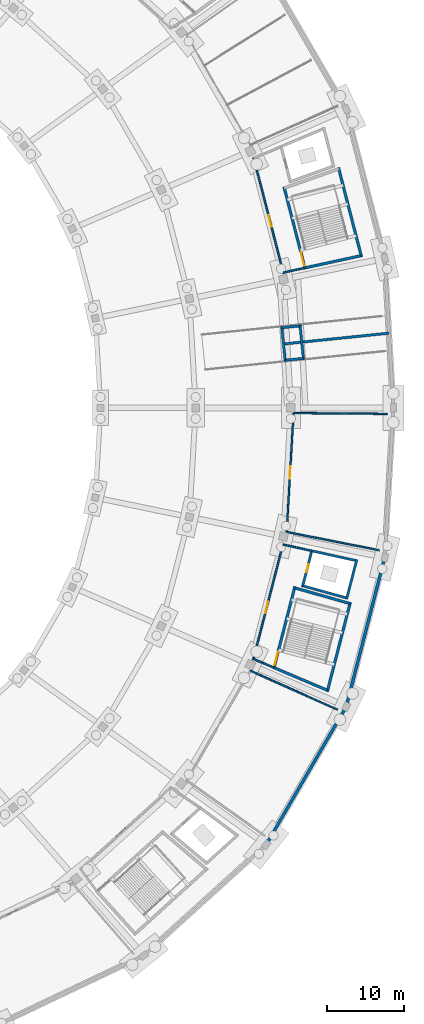
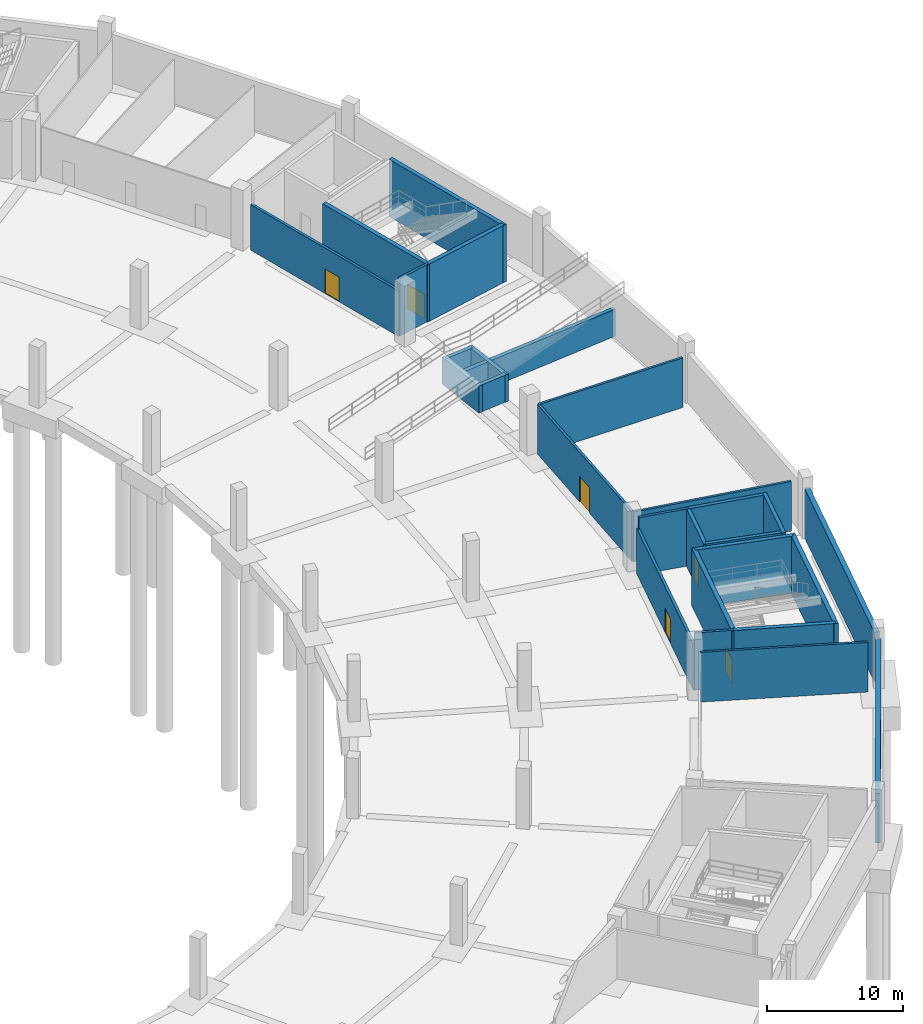
# One storey, part 14 of 49: 27 walls, 6 doors, 6 openings.
"""IFC4 building model written with IfcOpenShell, lengths in metres."""

from ifc_helpers import new_model, si_unit, direction, frame, frame_2d, origin, place, context, subcontext, project, spatial, rectangle, extrude, material, layer, layer_set, type_object, element, fill, save


model = new_model("IFC4")

# Units and contexts
model_context = context("Model", 3, precision=1e-05, world=origin(), true_north=direction((0.0, 1.0)))
body_context = subcontext(model_context, "Body", "Model", "MODEL_VIEW")
ifc_project = project(units=[si_unit("LENGTHUNIT", "METRE"), si_unit("AREAUNIT", "SQUARE_METRE"), si_unit("VOLUMEUNIT", "CUBIC_METRE"), si_unit("PLANEANGLEUNIT", "RADIAN"), si_unit("MASSUNIT", "GRAM", prefix="KILO")], contexts=[model_context])

# Site, building, storey
site_placement = place(None, origin())
site = spatial("IfcSite", under=ifc_project, at=site_placement, CompositionType="ELEMENT")
building_placement = place(site_placement, origin())
building = spatial("IfcBuilding", under=site, at=building_placement, Name="Kazemori Nagisa Stadium", CompositionType="ELEMENT")
storey_placement = place(building_placement, frame((0.0, 0.0, -5.43994140625)))
storey = spatial("IfcBuildingStorey", under=building, at=storey_placement, Name="B1", CompositionType="ELEMENT", Elevation=-5.43994140625)

# Walls
ifc_material_1 = material(Name="Concrete C40/50 (Fc42)", Category="concrete")
ifc_layer_1 = layer(ifc_material_1, 0.39990234375, Name="Concrete C40/50 (Fc42)", Category="concrete")
ifc_layer_set_1 = layer_set([ifc_layer_1], Name="Concrete C40/50 (Fc42)")
wall_type_1 = type_object("IfcWallType", Name="Wall_W-B1-RET-400", PredefinedType="SOLIDWALL", material=ifc_layer_set_1)
wall_1_placement = place(storey_placement, frame((201.69091796875, 45.669677734375, 0.0), z_axis=(0.0, 0.0, 1.0), x_axis=(0.501609752715, 0.865094015689, 0.0)))
element("IfcWall", 1, at=wall_1_placement, inside=storey, type_object=wall_type_1, Name="Basement perimeter retaining wall B1-26", PredefinedType="SOLIDWALL", context=body_context, shape_type="SweptSolid", body=[
    extrude(rectangle(XDim=19.932373046875, YDim=0.39990234375, at=frame_2d((9.96630859375, 0.0))), origin(), (0.0, 0.0, 1.0), 4.419921875),
])
wall_2_placement = place(storey_placement, frame((211.982421875, 63.628173828125, 0.0), z_axis=(0.0, 0.0, 1.0), x_axis=(0.249961059007, 0.968255890238, 0.0)))
element("IfcWall", 2, at=wall_2_placement, inside=storey, type_object=wall_type_1, Name="Basement perimeter retaining wall B1-27", PredefinedType="SOLIDWALL", context=body_context, shape_type="SweptSolid", body=[
    extrude(rectangle(XDim=19.2060546875, YDim=0.39990234375, at=frame_2d((9.60302734375, 0.0))), origin(), (0.0, 0.0, 1.0), 4.419921875),
])

# Wall, opening, door
ifc_layer_2 = layer(ifc_material_1, 0.35009765625, Name="Concrete C40/50 (Fc42)", Category="concrete")
ifc_layer_set_2 = layer_set([ifc_layer_2], Name="Concrete C40/50 (Fc42)")
wall_type_2 = type_object("IfcWallType", Name="Wall_W-CORE-350", PredefinedType="SHEAR", material=ifc_layer_set_2)
wall_3_placement = place(storey_placement, frame((206.5625, 119.996337890625, 0.0), z_axis=(0.0, 0.0, 1.0), x_axis=(-0.249959564539, 0.968256276042, 0.0)))
wall_3 = element("IfcWall", 3, at=wall_3_placement, inside=storey, type_object=wall_type_2, Name="Core stair front shear wall ST07 B1", PredefinedType="SHEAR", context=body_context, shape_type="SweptSolid", body=[
    extrude(rectangle(XDim=11.046630859375, YDim=0.35009765625, at=frame_2d((5.5234375, 0.0))), origin(), (0.0, 0.0, 1.0), 5.139892578125),
])
opening_1_placement = place(wall_3_placement, frame((0.47509765625, 0.0, 0.0)))
opening_1 = element("IfcOpeningElement", 4, at=opening_1_placement, cuts=wall_3, Name="Opening D-ST-1800", PredefinedType="OPENING", context=body_context, shape_type="SweptSolid", body=[
    extrude(rectangle(XDim=1.800048828125, YDim=2.199951171875, at=frame_2d((0.89990234375, 1.10009765625))), frame((0.0, 0.18505859375, 0.0), z_axis=(0.0, -1.0, 0.0), x_axis=(1.0, 0.0, 0.0)), (0.0, 0.0, 1.0), 0.3701171875),
])
ifc_material_2 = material(Name="Galvanised steel sheet", Category="steel")
door_type_1 = type_object("IfcDoorType", Name="Door_D-ST-1800", OperationType="NOTDEFINED", PredefinedType="DOOR", material=ifc_material_2)
door_1_placement = place(opening_1_placement, frame((1.800048828125, 0.0, 0.0), z_axis=(0.0, 0.0, 1.0), x_axis=(-1.0, 0.0, 0.0)))
door_1 = element("IfcDoor", 5, at=door_1_placement, inside=storey, type_object=door_type_1, Name="Exit stair fire door ST07-B1", OperationType="SINGLE_SWING_LEFT", OverallHeight=2.199951171875, OverallWidth=1.800048828125, PredefinedType="DOOR", context=body_context, shape_type="SweptSolid", body=[
    extrude(rectangle(XDim=1.800048828125, YDim=2.199951171875, at=frame_2d((0.89990234375, 1.10009765625))), frame((0.0, 0.02490234375, 0.0), z_axis=(0.0, -1.0, 0.0), x_axis=(1.0, 0.0, 0.0)), (0.0, 0.0, 1.0), 0.050048828125),
])
fill(opening_1, door_1)

# Walls
wall_4_placement = place(storey_placement, frame((213.86572265625, 121.5849609375, 0.0), z_axis=(0.0, 0.0, 1.0), x_axis=(-0.249969221583, 0.968253782983, 0.0)))
element("IfcWall", 6, at=wall_4_placement, inside=storey, type_object=wall_type_2, Name="Core stair rear shear wall ST07 B1", PredefinedType="SHEAR", context=body_context, shape_type="SweptSolid", body=[
    extrude(rectangle(XDim=11.98193359375, YDim=0.35009765625, at=frame_2d((5.990966796875, 0.0))), origin(), (0.0, 0.0, 1.0), 5.139892578125),
])
wall_5_placement = place(storey_placement, frame((206.518798828125, 120.165771484375, 0.0), z_axis=(0.0, 0.0, 1.0), x_axis=(0.977149528138, 0.2125530514, 0.0)))
element("IfcWall", 7, at=wall_5_placement, inside=storey, type_object=wall_type_2, Name="Core stair left shear wall ST07 B1", PredefinedType="SHEAR", context=body_context, shape_type="SweptSolid", body=[
    extrude(rectangle(XDim=7.47412109375, YDim=0.35009765625, at=frame_2d((3.737060546875, 0.0))), origin(), (0.0, 0.0, 1.0), 5.139892578125),
])

# Wall, opening, door
wall_6_placement = place(storey_placement, frame((202.46435546875, 68.129150390625, 0.0), z_axis=(0.0, 0.0, 1.0), x_axis=(0.249959564539, 0.968256276042, 0.0)))
wall_6 = element("IfcWall", 8, at=wall_6_placement, inside=storey, type_object=wall_type_2, Name="Core stair front shear wall ST10 B1", PredefinedType="SHEAR", context=body_context, shape_type="SweptSolid", body=[
    extrude(rectangle(XDim=11.046630859375, YDim=0.35009765625, at=frame_2d((5.5234375, 0.0))), origin(), (0.0, 0.0, 1.0), 5.139892578125),
])
opening_2_placement = place(wall_6_placement, frame((0.47509765625, 0.0, 0.0)))
opening_2 = element("IfcOpeningElement", 9, at=opening_2_placement, cuts=wall_6, Name="Opening D-ST-1800", PredefinedType="OPENING", context=body_context, shape_type="SweptSolid", body=[
    extrude(rectangle(XDim=1.800048828125, YDim=2.199951171875, at=frame_2d((0.89990234375, 1.10009765625))), frame((0.0, 0.18505859375, 0.0), z_axis=(0.0, -1.0, 0.0), x_axis=(1.0, 0.0, 0.0)), (0.0, 0.0, 1.0), 0.3701171875),
])
door_2_placement = place(opening_2_placement, frame((1.800048828125, 0.0, 0.0), z_axis=(0.0, 0.0, 1.0), x_axis=(-1.0, 0.0, 0.0)))
door_2 = element("IfcDoor", 10, at=door_2_placement, inside=storey, type_object=door_type_1, Name="Exit stair fire door ST10-B1", OperationType="SINGLE_SWING_RIGHT", OverallHeight=2.199951171875, OverallWidth=1.800048828125, PredefinedType="DOOR", context=body_context, shape_type="SweptSolid", body=[
    extrude(rectangle(XDim=1.800048828125, YDim=2.199951171875, at=frame_2d((0.89990234375, 1.10009765625))), frame((0.0, 0.02490234375, 0.0), z_axis=(0.0, -1.0, 0.0), x_axis=(1.0, 0.0, 0.0)), (0.0, 0.0, 1.0), 0.050048828125),
])
fill(opening_2, door_2)

# Walls
wall_7_placement = place(storey_placement, frame((209.4169921875, 65.18212890625, 0.0), z_axis=(0.0, 0.0, 1.0), x_axis=(0.249969221583, 0.968253782983, 0.0)))
element("IfcWall", 11, at=wall_7_placement, inside=storey, type_object=wall_type_2, Name="Core stair rear shear wall ST10 B1", PredefinedType="SHEAR", context=body_context, shape_type="SweptSolid", body=[
    extrude(rectangle(XDim=11.98193359375, YDim=0.35009765625, at=frame_2d((5.990966796875, 0.0))), origin(), (0.0, 0.0, 1.0), 5.139892578125),
])
wall_8_placement = place(storey_placement, frame((202.508056640625, 68.298583984375, 0.0), z_axis=(0.0, 0.0, 1.0), x_axis=(0.920704667209, -0.390260061728, 0.0)))
element("IfcWall", 12, at=wall_8_placement, inside=storey, type_object=wall_type_2, Name="Core stair left shear wall ST10 B1", PredefinedType="SHEAR", context=body_context, shape_type="SweptSolid", body=[
    extrude(rectangle(XDim=7.551513671875, YDim=0.35009765625, at=frame_2d((3.77587890625, 0.0))), origin(), (0.0, 0.0, 1.0), 5.139892578125),
])
wall_9_placement = place(storey_placement, frame((205.181884765625, 78.655517578125, 0.0), z_axis=(0.0, 0.0, 1.0), x_axis=(0.961945802461, -0.273240321195, 0.0)))
element("IfcWall", 13, at=wall_9_placement, inside=storey, type_object=wall_type_2, Name="Core stair right shear wall ST10 B1", PredefinedType="SHEAR", context=body_context, shape_type="SweptSolid", body=[
    extrude(rectangle(XDim=7.470458984375, YDim=0.35009765625, at=frame_2d((3.7353515625, 0.0))), origin(), (0.0, 0.0, 1.0), 5.139892578125),
])

# Wall, opening, door
ifc_material_3 = material(Name="Concrete C36/45 (Fc36)", Category="concrete")
ifc_layer_3 = layer(ifc_material_3, 0.219970703125, Name="Concrete C36/45 (Fc36)", Category="concrete")
ifc_layer_set_3 = layer_set([ifc_layer_3], Name="Concrete C36/45 (Fc36)")
wall_type_3 = type_object("IfcWallType", Name="Wall_W-LOBBY-220", PredefinedType="SOLIDWALL", material=ifc_layer_set_3)
wall_10_placement = place(storey_placement, frame((203.7373046875, 119.448486328125, 0.0), z_axis=(0.0, 0.0, 1.0), x_axis=(-0.249963472505, 0.968255267176, 0.0)))
wall_10 = element("IfcWall", 14, at=wall_10_placement, inside=storey, type_object=wall_type_3, Name="Core lobby fire wall ST07 B1", PredefinedType="SOLIDWALL", context=body_context, shape_type="SweptSolid", body=[
    extrude(rectangle(XDim=15.552978515625, YDim=0.219970703125, at=frame_2d((7.7763671875, 0.0))), origin(), (0.0, 0.0, 1.0), 4.087890625),
])
opening_3_placement = place(wall_10_placement, frame((6.260009765625, 0.0, 0.0)))
opening_3 = element("IfcOpeningElement", 15, at=opening_3_placement, cuts=wall_10, Name="Opening D-FFL-1500", PredefinedType="OPENING", context=body_context, shape_type="SweptSolid", body=[
    extrude(rectangle(XDim=1.5, YDim=2.199951171875, at=frame_2d((0.75, 1.10009765625))), frame((0.0, 0.119873046875, 0.0), z_axis=(0.0, -1.0, 0.0), x_axis=(1.0, 0.0, 0.0)), (0.0, 0.0, 1.0), 0.239990234375),
])
door_type_2 = type_object("IfcDoorType", Name="Door_D-FFL-1500", OperationType="NOTDEFINED", PredefinedType="DOOR", material=ifc_material_2)
door_3_placement = place(opening_3_placement, frame((1.5, 0.0, 0.0), z_axis=(0.0, 0.0, 1.0), x_axis=(-1.0, 0.0, 0.0)))
door_3 = element("IfcDoor", 16, at=door_3_placement, inside=storey, type_object=door_type_2, Name="Protected lobby fire door ST07-B1", OperationType="DOUBLE_DOOR_SINGLE_SWING", OverallHeight=2.199951171875, OverallWidth=1.5, PredefinedType="DOOR", context=body_context, shape_type="SweptSolid", body=[
    extrude(rectangle(XDim=1.5, YDim=2.199951171875, at=frame_2d((0.75, 1.10009765625))), frame((0.0, 0.02490234375, 0.0), z_axis=(0.0, -1.0, 0.0), x_axis=(1.0, 0.0, 0.0)), (0.0, 0.0, 1.0), 0.050048828125),
])
fill(opening_3, door_3)

# Wall
wall_11_placement = place(storey_placement, frame((203.7099609375, 119.554931640625, 0.0), z_axis=(0.0, 0.0, 1.0), x_axis=(0.977160263607, 0.212503692268, 0.0)))
element("IfcWall", 17, at=wall_11_placement, inside=storey, type_object=wall_type_3, Name="Core lobby left wall ST07 B1", PredefinedType="SOLIDWALL", context=body_context, shape_type="SweptSolid", body=[
    extrude(rectangle(XDim=2.87451171875, YDim=0.219970703125, at=frame_2d((1.437255859375, 0.0))), origin(), (0.0, 0.0, 1.0), 5.139892578125),
])

# Wall, opening, door
wall_12_placement = place(storey_placement, frame((199.806640625, 69.325439453125, 0.0), z_axis=(0.0, 0.0, 1.0), x_axis=(0.249963472505, 0.968255267176, 0.0)))
wall_12 = element("IfcWall", 18, at=wall_12_placement, inside=storey, type_object=wall_type_3, Name="Core lobby fire wall ST10 B1", PredefinedType="SOLIDWALL", context=body_context, shape_type="SweptSolid", body=[
    extrude(rectangle(XDim=15.552978515625, YDim=0.219970703125, at=frame_2d((7.7763671875, 0.0))), origin(), (0.0, 0.0, 1.0), 4.087890625),
])
opening_4_placement = place(wall_12_placement, frame((6.260009765625, 0.0, 0.0)))
opening_4 = element("IfcOpeningElement", 19, at=opening_4_placement, cuts=wall_12, Name="Opening D-FFL-1500", PredefinedType="OPENING", context=body_context, shape_type="SweptSolid", body=[
    extrude(rectangle(XDim=1.5, YDim=2.199951171875, at=frame_2d((0.75, 1.10009765625))), frame((0.0, 0.119873046875, 0.0), z_axis=(0.0, -1.0, 0.0), x_axis=(1.0, 0.0, 0.0)), (0.0, 0.0, 1.0), 0.239990234375),
])
door_4_placement = place(opening_4_placement, frame((1.5, 0.0, 0.0), z_axis=(0.0, 0.0, 1.0), x_axis=(-1.0, 0.0, 0.0)))
door_4 = element("IfcDoor", 20, at=door_4_placement, inside=storey, type_object=door_type_2, Name="Protected lobby fire door ST10-B1", OperationType="DOUBLE_DOOR_SINGLE_SWING", OverallHeight=2.199951171875, OverallWidth=1.5, PredefinedType="DOOR", context=body_context, shape_type="SweptSolid", body=[
    extrude(rectangle(XDim=1.5, YDim=2.199951171875, at=frame_2d((0.75, 1.10009765625))), frame((0.0, 0.02490234375, 0.0), z_axis=(0.0, -1.0, 0.0), x_axis=(1.0, 0.0, 0.0)), (0.0, 0.0, 1.0), 0.050048828125),
])
fill(opening_4, door_4)

# Walls
wall_13_placement = place(storey_placement, frame((199.834228515625, 69.431884765625, 0.0), z_axis=(0.0, 0.0, 1.0), x_axis=(0.920711790761, -0.390243255361, 0.0)))
element("IfcWall", 21, at=wall_13_placement, inside=storey, type_object=wall_type_3, Name="Core lobby left wall ST10 B1", PredefinedType="SOLIDWALL", context=body_context, shape_type="SweptSolid", body=[
    extrude(rectangle(XDim=2.904052734375, YDim=0.219970703125, at=frame_2d((1.4521484375, 0.0))), origin(), (0.0, 0.0, 1.0), 5.139892578125),
])
wall_14_placement = place(storey_placement, frame((203.666748046875, 84.2783203125, 0.0), z_axis=(0.0, 0.0, 1.0), x_axis=(0.976714725209, -0.214542176645, 0.0)))
element("IfcWall", 22, at=wall_14_placement, inside=storey, type_object=wall_type_3, Name="Core lobby right wall ST10 B1", PredefinedType="SOLIDWALL", context=body_context, shape_type="SweptSolid", body=[
    extrude(rectangle(XDim=3.832763671875, YDim=0.219970703125, at=frame_2d((1.91650390625, 0.0))), origin(), (0.0, 0.0, 1.0), 5.139892578125),
])
ifc_material_4 = material(Name="Autoclaved aerated concrete blockwork", Category="masonry")
ifc_layer_4 = layer(ifc_material_4, 0.199951171875, Name="Autoclaved aerated concrete blockwork", Category="masonry")
ifc_layer_set_4 = layer_set([ifc_layer_4], Name="Autoclaved aerated concrete blockwork")
wall_type_4 = type_object("IfcWallType", Name="Wall_W-PART-200", PredefinedType="PARTITIONING", material=ifc_layer_set_4)
wall_15_placement = place(storey_placement, frame((199.4375, 67.901123046875, 0.0), z_axis=(0.0, 0.0, 1.0), x_axis=(0.913245562849, -0.407409550621, 0.0)))
element("IfcWall", 23, at=wall_15_placement, inside=storey, type_object=wall_type_4, Name="Room radial partition B1-B26-R", PredefinedType="PARTITIONING", context=body_context, shape_type="SweptSolid", body=[
    extrude(rectangle(XDim=12.399658203125, YDim=0.199951171875, at=frame_2d((6.19970703125, 0.0))), origin(), (0.0, 0.0, 1.0), 4.4599609375),
])

# Wall, opening, door
wall_16_placement = place(storey_placement, frame((204.151611328125, 85.910888671875, 0.0), z_axis=(0.0, 0.0, 1.0), x_axis=(0.057603503798, 0.998339539611, 0.0)))
wall_16 = element("IfcWall", 24, at=wall_16_placement, inside=storey, type_object=wall_type_4, Name="Room corridor partition B1-B28", PredefinedType="PARTITIONING", context=body_context, shape_type="SweptSolid", body=[
    extrude(rectangle(XDim=15.4443359375, YDim=0.199951171875, at=frame_2d((7.72216796875, 0.0))), origin(), (0.0, 0.0, 1.0), 4.4599609375),
])
opening_5_placement = place(wall_16_placement, frame((6.882080078125, 0.0, 0.0)))
opening_5 = element("IfcOpeningElement", 25, at=opening_5_placement, cuts=wall_16, Name="Opening D-WRM-1680", PredefinedType="OPENING", context=body_context, shape_type="SweptSolid", body=[
    extrude(rectangle(XDim=1.679931640625, YDim=2.300048828125, at=frame_2d((0.83984375, 1.14990234375))), frame((0.0, 0.10986328125, 0.0), z_axis=(0.0, -1.0, 0.0), x_axis=(1.0, 0.0, 0.0)), (0.0, 0.0, 1.0), 0.219970703125),
])
door_type_3 = type_object("IfcDoorType", Name="Door_D-WRM-1680", OperationType="NOTDEFINED", PredefinedType="DOOR", material=ifc_material_2)
door_5_placement = place(opening_5_placement, origin())
door_5 = element("IfcDoor", 26, at=door_5_placement, inside=storey, type_object=door_type_3, Name="Room entrance door D-WRM-1680 B1-B28", OperationType="DOUBLE_DOOR_SINGLE_SWING", OverallHeight=2.300048828125, OverallWidth=1.679931640625, PredefinedType="DOOR", context=body_context, shape_type="SweptSolid", body=[
    extrude(rectangle(XDim=1.679931640625, YDim=2.300048828125, at=frame_2d((0.83984375, 1.14990234375))), frame((0.0, 0.02490234375, 0.0), z_axis=(0.0, -1.0, 0.0), x_axis=(1.0, 0.0, 0.0)), (0.0, 0.0, 1.0), 0.050048828125),
])
fill(opening_5, door_5)

# Walls
wall_17_placement = place(storey_placement, frame((204.151611328125, 85.910888671875, 0.0), z_axis=(0.0, 0.0, 1.0), x_axis=(0.980904167784, -0.194491680088, 0.0)))
element("IfcWall", 27, at=wall_17_placement, inside=storey, type_object=wall_type_4, Name="Room radial partition B1-B28-L", PredefinedType="PARTITIONING", context=body_context, shape_type="SweptSolid", body=[
    extrude(rectangle(XDim=12.256591796875, YDim=0.199951171875, at=frame_2d((6.12841796875, 0.0))), origin(), (0.0, 0.0, 1.0), 4.4599609375),
])
wall_18_placement = place(storey_placement, frame((205.041259765625, 101.32958984375, 0.0), z_axis=(0.0, 0.0, 1.0), x_axis=(0.999966583768, -0.008175044183, 0.0)))
element("IfcWall", 28, at=wall_18_placement, inside=storey, type_object=wall_type_4, Name="Room radial partition B1-B28-R", PredefinedType="PARTITIONING", context=body_context, shape_type="SweptSolid", body=[
    extrude(rectangle(XDim=12.15478515625, YDim=0.199951171875, at=frame_2d((6.077392578125, 0.0))), origin(), (0.0, 0.0, 1.0), 4.4599609375),
])
ifc_layer_5 = layer(ifc_material_1, 0.324951171875, Name="Concrete C40/50 (Fc42)", Category="concrete")
ifc_layer_set_5 = layer_set([ifc_layer_5], Name="Concrete C40/50 (Fc42)")
wall_type_5 = type_object("IfcWallType", Name="Wall_W-RAMP-325", PredefinedType="SHEAR", material=ifc_layer_set_5)
wall_19_placement = place(storey_placement, frame((203.74658203125, 110.29248046875, 0.0), z_axis=(0.0, 0.0, 1.0), x_axis=(0.994768127676, 0.102158563809, 0.0)))
element("IfcWall", 29, at=wall_19_placement, inside=storey, type_object=wall_type_5, Name="Vehicle ramp basement spine wall RV1-S", PredefinedType="SHEAR", context=body_context, shape_type="SweptSolid", body=[
    extrude(rectangle(XDim=13.755859375, YDim=0.324951171875, at=frame_2d((6.8779296875, 0.0))), origin(), (0.0, 0.0, 1.0), 2.419921875),
])
wall_20_placement = place(storey_placement, frame((203.963134765625, 108.18359375, 0.0), z_axis=(0.0, 0.0, 1.0), x_axis=(0.994769921471, 0.102141095235, 0.0)))
element("IfcWall", 30, at=wall_20_placement, inside=storey, type_object=wall_type_5, Name="Vehicle ramp basement cheek wall RV1-L1", PredefinedType="SHEAR", context=body_context, shape_type="SweptSolid", body=[
    extrude(rectangle(XDim=2.37353515625, YDim=0.324951171875, at=frame_2d((1.186767578125, 0.0))), origin(), (0.0, 0.0, 1.0), 2.419921875),
])
wall_21_placement = place(storey_placement, frame((203.530029296875, 112.4013671875, 0.0), z_axis=(0.0, 0.0, 1.0), x_axis=(0.994768848177, 0.102151547698, 0.0)))
element("IfcWall", 31, at=wall_21_placement, inside=storey, type_object=wall_type_5, Name="Vehicle ramp basement cheek wall RV1-R1", PredefinedType="SHEAR", context=body_context, shape_type="SweptSolid", body=[
    extrude(rectangle(XDim=2.373291015625, YDim=0.324951171875, at=frame_2d((1.1865234375, 0.0))), origin(), (0.0, 0.0, 1.0), 2.419921875),
])
for number, where, z_axis, x_axis, name in (
    (32, (203.9814453125, 108.004638671875, 0.0), (0.0, 0.0, 1.0), (-0.10216757532, 0.99476720219, 0.0), "Vehicle ramp bearing cross wall RV1-XW1"),
    (33, (206.342529296875, 108.2470703125, 0.0), (0.0, 0.0, 1.0), (-0.10216757532, 0.99476720219, 0.0), "Vehicle ramp bearing cross wall RV1-XW2"),
):
    element("IfcWall", number, at=place(storey_placement, frame(where, z_axis=z_axis, x_axis=x_axis)), inside=storey, type_object=wall_type_5, Name=name, PredefinedType="SHEAR", context=body_context, shape_type="SweptSolid", body=[
        extrude(rectangle(XDim=4.60009765625, YDim=0.324951171875, at=frame_2d((2.300048828125, 0.0))), origin(), (0.0, 0.0, 1.0), 2.419921875),
    ])

# Wall, opening, door
ifc_layer_6 = layer(ifc_material_1, 0.300048828125, Name="Concrete C40/50 (Fc42)", Category="concrete")
ifc_layer_set_6 = layer_set([ifc_layer_6], Name="Concrete C40/50 (Fc42)")
wall_type_6 = type_object("IfcWallType", Name="Wall_W-SHAFT-300", PredefinedType="SHEAR", material=ifc_layer_set_6)
wall_22_placement = place(storey_placement, frame((206.200927734375, 78.772216796875, 0.0), z_axis=(0.0, 0.0, 1.0), x_axis=(0.249946120621, 0.968259746549, 0.0)))
wall_22 = element("IfcWall", 34, at=wall_22_placement, inside=storey, type_object=wall_type_6, Name="Lift shaft front wall LP8 B1", PredefinedType="SHEAR", context=body_context, shape_type="SweptSolid", body=[
    extrude(rectangle(XDim=4.9873046875, YDim=0.300048828125, at=frame_2d((2.49365234375, 0.0))), origin(), (0.0, 0.0, 1.0), 5.139892578125),
])
opening_6_placement = place(wall_22_placement, frame((1.944091796875, 0.0, 0.0)))
opening_6 = element("IfcOpeningElement", 35, at=opening_6_placement, cuts=wall_22, Name="Opening LD-PAX", PredefinedType="OPENING", context=body_context, shape_type="SweptSolid", body=[
    extrude(rectangle(XDim=1.10009765625, YDim=2.199951171875, at=frame_2d((0.550048828125, 1.10009765625))), frame((0.0, 0.159912109375, 0.0), z_axis=(0.0, -1.0, 0.0), x_axis=(1.0, 0.0, 0.0)), (0.0, 0.0, 1.0), 0.320068359375),
])
ifc_material_5 = material(Name="Stainless steel SUS304", Category="steel")
door_type_4 = type_object("IfcDoorType", Name="Door_LD-PAX", OperationType="SLIDING_TO_RIGHT", PredefinedType="DOOR", material=ifc_material_5)
door_6_placement = place(opening_6_placement, origin())
door_6 = element("IfcDoor", 36, at=door_6_placement, inside=storey, type_object=door_type_4, Name="Lift landing door LP8-B1", OperationType="SLIDING_TO_RIGHT", OverallHeight=2.199951171875, OverallWidth=1.10009765625, PredefinedType="DOOR", context=body_context, shape_type="SweptSolid", body=[
    extrude(rectangle(XDim=1.10009765625, YDim=2.199951171875, at=frame_2d((0.550048828125, 1.10009765625))), frame((0.0, 0.02490234375, 0.0), z_axis=(0.0, -1.0, 0.0), x_axis=(1.0, 0.0, 0.0)), (0.0, 0.0, 1.0), 0.050048828125),
])
fill(opening_6, door_6)

# Walls
wall_23_placement = place(storey_placement, frame((211.922607421875, 77.185791015625, 0.0), z_axis=(0.0, 0.0, 1.0), x_axis=(0.249918349381, 0.968266914979, 0.0)))
element("IfcWall", 37, at=wall_23_placement, inside=storey, type_object=wall_type_6, Name="Lift shaft B wall LP8 B1", PredefinedType="SHEAR", context=body_context, shape_type="SweptSolid", body=[
    extrude(rectangle(XDim=5.309326171875, YDim=0.300048828125, at=frame_2d((2.65478515625, 0.0))), origin(), (0.0, 0.0, 1.0), 5.139892578125),
])
wall_24_placement = place(storey_placement, frame((206.238525390625, 78.91748046875, 0.0), z_axis=(0.0, 0.0, 1.0), x_axis=(0.963642107639, -0.267196348002, 0.0)))
element("IfcWall", 38, at=wall_24_placement, inside=storey, type_object=wall_type_6, Name="Lift shaft L wall LP8 B1", PredefinedType="SHEAR", context=body_context, shape_type="SweptSolid", body=[
    extrude(rectangle(XDim=5.937255859375, YDim=0.300048828125, at=frame_2d((2.96875, 0.0))), origin(), (0.0, 0.0, 1.0), 5.139892578125),
])
wall_25_placement = place(storey_placement, frame((207.41015625, 83.4560546875, 0.0), z_axis=(0.0, 0.0, 1.0), x_axis=(0.976707381947, -0.214575604509, 0.0)))
element("IfcWall", 39, at=wall_25_placement, inside=storey, type_object=wall_type_6, Name="Lift shaft R wall LP8 B1", PredefinedType="SHEAR", context=body_context, shape_type="SweptSolid", body=[
    extrude(rectangle(XDim=5.9404296875, YDim=0.300048828125, at=frame_2d((2.97021484375, 0.0))), origin(), (0.0, 0.0, 1.0), 5.139892578125),
])

save(model, "model.ifc")
